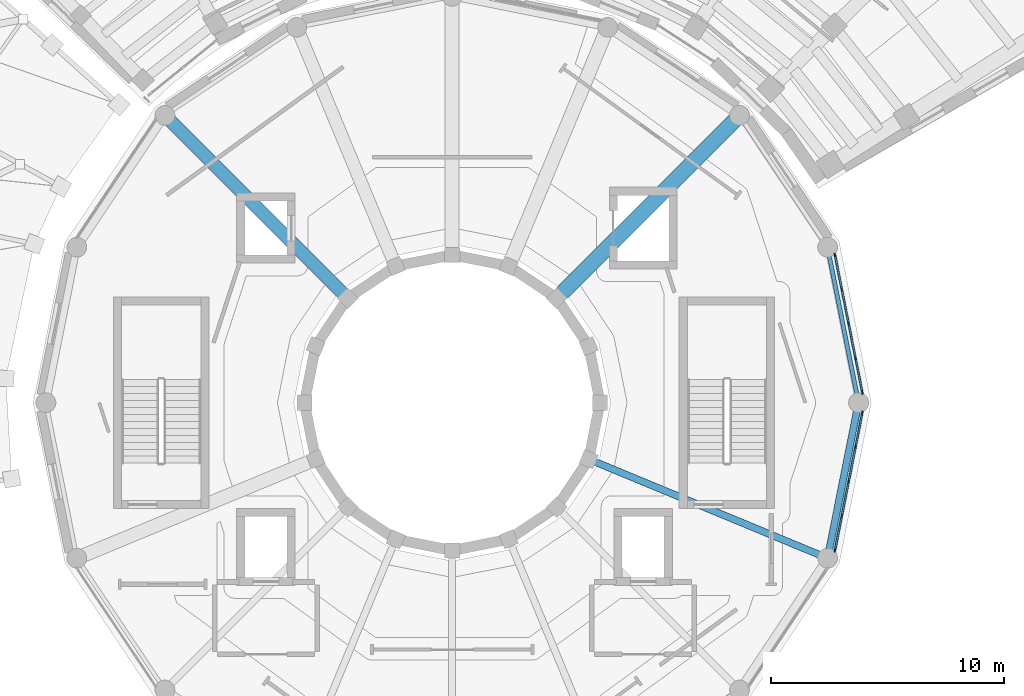
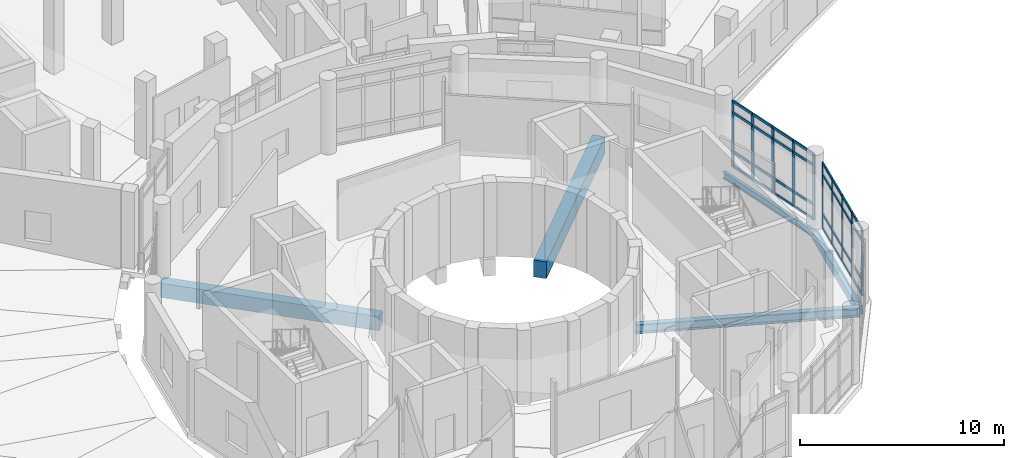
# One storey, part 11 of 49: 42 members, 5 beams, 2 elements without a shape of their own.
"""IFC4 building model written with IfcOpenShell, lengths in metres."""

from ifc_helpers import new_model, si_unit, direction, frame, origin, origin_2d, place, context, subcontext, project, spatial, rectangle, i_section, extrude, material, material_profile, profile_set, type_object, element, aggregate, save


model = new_model("IFC4")

# Units and contexts
model_context = context("Model", 3, precision=1e-05, world=origin(), true_north=direction((0.0, 1.0)))
body_context = subcontext(model_context, "Body", "Model", "MODEL_VIEW")
ifc_project = project(units=[si_unit("LENGTHUNIT", "METRE"), si_unit("AREAUNIT", "SQUARE_METRE"), si_unit("VOLUMEUNIT", "CUBIC_METRE"), si_unit("PLANEANGLEUNIT", "RADIAN"), si_unit("MASSUNIT", "GRAM", prefix="KILO")], contexts=[model_context])

# Site, building, storey
site_placement = place(None, origin())
site = spatial("IfcSite", under=ifc_project, at=site_placement, CompositionType="ELEMENT")
building_placement = place(site_placement, origin())
building = spatial("IfcBuilding", under=site, at=building_placement, Name="Soyqirgoq Riverine Aquarium", CompositionType="ELEMENT")
storey_placement = place(building_placement, frame((0.0, 0.0, 15.0)))
storey = spatial("IfcBuildingStorey", under=building, at=storey_placement, Name="L04", CompositionType="ELEMENT", Elevation=15.0)

# Curtain wall, members
ifc_material_1 = material(Name="Anodised aluminium thermally broken triple low-E glazing", Category="aluminium")
curtain_wall_type = type_object("IfcCurtainWallType", Name="CW_DrumGallery_Unitised", PredefinedType="NOTDEFINED", material=ifc_material_1)
curtain_wall_1_placement = place(storey_placement, origin())
curtain_wall_1 = element("IfcCurtainWall", 1, at=curtain_wall_1_placement, inside=storey, type_object=curtain_wall_type, Name="V1 L04 Curtain Wall 004", PredefinedType="NOTDEFINED")
ifc_material_2 = material(Name="Anodised aluminium 6063-T6", Category="aluminium")
ifc_material_profile_1 = material_profile(ifc_material_2, rectangle(XDim=0.06494140625, YDim=0.179931640625, at=origin_2d()), Name="ALU-M 65x180")
ifc_profile_set_1 = profile_set([ifc_material_profile_1], Name="Anodised aluminium 6063-T6")
member_type_1 = type_object("IfcMemberType", Name="CWMullion_65x180", PredefinedType="MULLION", material=ifc_profile_set_1)
member_1_placement = place(storey_placement, frame((73.61181640625, 57.44384765625, 0.0), z_axis=(0.0, 0.0, 1.0), x_axis=(-0.980783044882, -0.195101560405, 0.0)))
member_1 = element("IfcMember", 2, at=member_1_placement, type_object=member_type_1, Name="CW-01 mullion 1", PredefinedType="MULLION", context=body_context, shape_type="SweptSolid", body=[
    extrude(rectangle(XDim=0.06494140625, YDim=0.179931640625, at=origin_2d()), origin(), (0.0, 0.0, 1.0), 3.949951171875),
])
member_2_placement = place(storey_placement, frame((73.322265625, 58.8994140625, 0.0), z_axis=(0.0, 0.0, 1.0), x_axis=(-0.980783044882, -0.195101560405, 0.0)))
member_2 = element("IfcMember", 3, at=member_2_placement, type_object=member_type_1, Name="CW-01 mullion 2", PredefinedType="MULLION", context=body_context, shape_type="SweptSolid", body=[
    extrude(rectangle(XDim=0.06494140625, YDim=0.179931640625, at=origin_2d()), origin(), (0.0, 0.0, 1.0), 3.949951171875),
])
member_3_placement = place(storey_placement, frame((73.0263671875, 60.38671875, 0.0), z_axis=(0.0, 0.0, 1.0), x_axis=(-0.980783044882, -0.195101560405, 0.0)))
member_3 = element("IfcMember", 4, at=member_3_placement, type_object=member_type_1, Name="CW-01 mullion 3", PredefinedType="MULLION", context=body_context, shape_type="SweptSolid", body=[
    extrude(rectangle(XDim=0.06494140625, YDim=0.179931640625, at=origin_2d()), origin(), (0.0, 0.0, 1.0), 3.949951171875),
])
member_4_placement = place(storey_placement, frame((72.73046875, 61.8740234375, 0.0), z_axis=(0.0, 0.0, 1.0), x_axis=(-0.980783044882, -0.195101560405, 0.0)))
member_4 = element("IfcMember", 5, at=member_4_placement, type_object=member_type_1, Name="CW-01 mullion 4", PredefinedType="MULLION", context=body_context, shape_type="SweptSolid", body=[
    extrude(rectangle(XDim=0.06494140625, YDim=0.179931640625, at=origin_2d()), origin(), (0.0, 0.0, 1.0), 3.949951171875),
])
member_5_placement = place(storey_placement, frame((72.44091796875, 63.32958984375, 0.0), z_axis=(0.0, 0.0, 1.0), x_axis=(-0.980783044882, -0.195101560405, 0.0)))
member_5 = element("IfcMember", 6, at=member_5_placement, type_object=member_type_1, Name="CW-01 mullion 5", PredefinedType="MULLION", context=body_context, shape_type="SweptSolid", body=[
    extrude(rectangle(XDim=0.06494140625, YDim=0.179931640625, at=origin_2d()), origin(), (0.0, 0.0, 1.0), 3.949951171875),
])

curtain_wall_2_placement = place(storey_placement, origin())
curtain_wall_2 = element("IfcCurtainWall", 7, at=curtain_wall_2_placement, inside=storey, type_object=curtain_wall_type, Name="V1 L04 Curtain Wall 075", PredefinedType="NOTDEFINED")
member_6_placement = place(storey_placement, frame((72.44091796875, 50.67041015625, 0.0), z_axis=(0.0, 0.0, 1.0), x_axis=(-0.980783044882, 0.195101560405, 0.0)))
member_6 = element("IfcMember", 8, at=member_6_placement, type_object=member_type_1, Name="CW-01 mullion 1", PredefinedType="MULLION", context=body_context, shape_type="SweptSolid", body=[
    extrude(rectangle(XDim=0.06494140625, YDim=0.179931640625, at=origin_2d()), origin(), (0.0, 0.0, 1.0), 3.949951171875),
])
member_7_placement = place(storey_placement, frame((72.73046875, 52.1259765625, 0.0), z_axis=(0.0, 0.0, 1.0), x_axis=(-0.980783044882, 0.195101560405, 0.0)))
member_7 = element("IfcMember", 9, at=member_7_placement, type_object=member_type_1, Name="CW-01 mullion 2", PredefinedType="MULLION", context=body_context, shape_type="SweptSolid", body=[
    extrude(rectangle(XDim=0.06494140625, YDim=0.179931640625, at=origin_2d()), origin(), (0.0, 0.0, 1.0), 3.949951171875),
])
member_8_placement = place(storey_placement, frame((73.0263671875, 53.61328125, 0.0), z_axis=(0.0, 0.0, 1.0), x_axis=(-0.980783044882, 0.195101560405, 0.0)))
member_8 = element("IfcMember", 10, at=member_8_placement, type_object=member_type_1, Name="CW-01 mullion 3", PredefinedType="MULLION", context=body_context, shape_type="SweptSolid", body=[
    extrude(rectangle(XDim=0.06494140625, YDim=0.179931640625, at=origin_2d()), origin(), (0.0, 0.0, 1.0), 3.949951171875),
])
member_9_placement = place(storey_placement, frame((73.322265625, 55.1005859375, 0.0), z_axis=(0.0, 0.0, 1.0), x_axis=(-0.980783044882, 0.195101560405, 0.0)))
member_9 = element("IfcMember", 11, at=member_9_placement, type_object=member_type_1, Name="CW-01 mullion 4", PredefinedType="MULLION", context=body_context, shape_type="SweptSolid", body=[
    extrude(rectangle(XDim=0.06494140625, YDim=0.179931640625, at=origin_2d()), origin(), (0.0, 0.0, 1.0), 3.949951171875),
])
member_10_placement = place(storey_placement, frame((73.61181640625, 56.55615234375, 0.0), z_axis=(0.0, 0.0, 1.0), x_axis=(-0.980783044882, 0.195101560405, 0.0)))
member_10 = element("IfcMember", 12, at=member_10_placement, type_object=member_type_1, Name="CW-01 mullion 5", PredefinedType="MULLION", context=body_context, shape_type="SweptSolid", body=[
    extrude(rectangle(XDim=0.06494140625, YDim=0.179931640625, at=origin_2d()), origin(), (0.0, 0.0, 1.0), 3.949951171875),
])

# Member
ifc_material_3 = material(Name="Anodised aluminium 6063-T6", Category="aluminium")
ifc_material_profile_2 = material_profile(ifc_material_3, rectangle(XDim=0.074951171875, YDim=0.14990234375, at=origin_2d()), Name="ALU-T 75x150")
ifc_profile_set_2 = profile_set([ifc_material_profile_2], Name="Anodised aluminium 6063-T6")
member_type_2 = type_object("IfcMemberType", Name="CWTransom_75x150", PredefinedType="USERDEFINED", material=ifc_profile_set_2)
member_11_placement = place(storey_placement, frame((73.60546875, 57.475830078125, 0.03759765625), z_axis=(-0.19512334364, 0.980778711416, 0.0), x_axis=(-0.980778711416, -0.19512334364, 0.0)))
member_11 = element("IfcMember", 13, at=member_11_placement, type_object=member_type_2, Name="CW-01 transom 1.1", ObjectType="TRANSOM", PredefinedType="USERDEFINED", context=body_context, shape_type="SweptSolid", body=[
    extrude(rectangle(XDim=0.074951171875, YDim=0.14990234375, at=origin_2d()), origin(), (0.0, 0.0, 1.0), 1.4189453125),
])

member_12_placement = place(storey_placement, frame((73.60546875, 57.475830078125, 0.89990234375), z_axis=(-0.19512334364, 0.980778711416, 0.0), x_axis=(-0.980778711416, -0.19512334364, 0.0)))
member_12 = element("IfcMember", 14, at=member_12_placement, type_object=member_type_2, Name="CW-01 transom 1.2", ObjectType="TRANSOM", PredefinedType="USERDEFINED", context=body_context, shape_type="SweptSolid", body=[
    extrude(rectangle(XDim=0.074951171875, YDim=0.14990234375, at=origin_2d()), origin(), (0.0, 0.0, 1.0), 1.4189453125),
])

member_13_placement = place(storey_placement, frame((73.60546875, 57.475830078125, 3.25), z_axis=(-0.19512334364, 0.980778711416, 0.0), x_axis=(-0.980778711416, -0.19512334364, 0.0)))
member_13 = element("IfcMember", 15, at=member_13_placement, type_object=member_type_2, Name="CW-01 transom 1.3", ObjectType="TRANSOM", PredefinedType="USERDEFINED", context=body_context, shape_type="SweptSolid", body=[
    extrude(rectangle(XDim=0.074951171875, YDim=0.14990234375, at=origin_2d()), origin(), (0.0, 0.0, 1.0), 1.4189453125),
])

member_14_placement = place(storey_placement, frame((73.60546875, 57.475830078125, 3.91259765625), z_axis=(-0.19512334364, 0.980778711416, 0.0), x_axis=(-0.980778711416, -0.19512334364, 0.0)))
member_14 = element("IfcMember", 16, at=member_14_placement, type_object=member_type_2, Name="CW-01 transom 1.4", ObjectType="TRANSOM", PredefinedType="USERDEFINED", context=body_context, shape_type="SweptSolid", body=[
    extrude(rectangle(XDim=0.074951171875, YDim=0.14990234375, at=origin_2d()), origin(), (0.0, 0.0, 1.0), 1.4189453125),
])

member_15_placement = place(storey_placement, frame((73.31591796875, 58.93115234375, 0.03759765625), z_axis=(-0.195081112847, 0.980787112176, 0.0), x_axis=(-0.980787112176, -0.195081112847, 0.0)))
member_15 = element("IfcMember", 17, at=member_15_placement, type_object=member_type_2, Name="CW-01 transom 2.1", ObjectType="TRANSOM", PredefinedType="USERDEFINED", context=body_context, shape_type="SweptSolid", body=[
    extrude(rectangle(XDim=0.074951171875, YDim=0.14990234375, at=origin_2d()), origin(), (0.0, 0.0, 1.0), 1.45166015625),
])

member_16_placement = place(storey_placement, frame((73.31591796875, 58.93115234375, 0.89990234375), z_axis=(-0.195081112847, 0.980787112176, 0.0), x_axis=(-0.980787112176, -0.195081112847, 0.0)))
member_16 = element("IfcMember", 18, at=member_16_placement, type_object=member_type_2, Name="CW-01 transom 2.2", ObjectType="TRANSOM", PredefinedType="USERDEFINED", context=body_context, shape_type="SweptSolid", body=[
    extrude(rectangle(XDim=0.074951171875, YDim=0.14990234375, at=origin_2d()), origin(), (0.0, 0.0, 1.0), 1.45166015625),
])

member_17_placement = place(storey_placement, frame((73.31591796875, 58.93115234375, 3.25), z_axis=(-0.195081112847, 0.980787112176, 0.0), x_axis=(-0.980787112176, -0.195081112847, 0.0)))
member_17 = element("IfcMember", 19, at=member_17_placement, type_object=member_type_2, Name="CW-01 transom 2.3", ObjectType="TRANSOM", PredefinedType="USERDEFINED", context=body_context, shape_type="SweptSolid", body=[
    extrude(rectangle(XDim=0.074951171875, YDim=0.14990234375, at=origin_2d()), origin(), (0.0, 0.0, 1.0), 1.45166015625),
])

member_18_placement = place(storey_placement, frame((73.31591796875, 58.93115234375, 3.91259765625), z_axis=(-0.195081112847, 0.980787112176, 0.0), x_axis=(-0.980787112176, -0.195081112847, 0.0)))
member_18 = element("IfcMember", 20, at=member_18_placement, type_object=member_type_2, Name="CW-01 transom 2.4", ObjectType="TRANSOM", PredefinedType="USERDEFINED", context=body_context, shape_type="SweptSolid", body=[
    extrude(rectangle(XDim=0.074951171875, YDim=0.14990234375, at=origin_2d()), origin(), (0.0, 0.0, 1.0), 1.45166015625),
])

member_19_placement = place(storey_placement, frame((73.02001953125, 60.418701171875, 0.03759765625), z_axis=(-0.195113295173, 0.980780710478, 0.0), x_axis=(-0.980780710478, -0.195113295173, 0.0)))
member_19 = element("IfcMember", 21, at=member_19_placement, type_object=member_type_2, Name="CW-01 transom 3.1", ObjectType="TRANSOM", PredefinedType="USERDEFINED", context=body_context, shape_type="SweptSolid", body=[
    extrude(rectangle(XDim=0.074951171875, YDim=0.14990234375, at=origin_2d()), origin(), (0.0, 0.0, 1.0), 1.451416015625),
])

member_20_placement = place(storey_placement, frame((73.02001953125, 60.418701171875, 0.89990234375), z_axis=(-0.195113295173, 0.980780710478, 0.0), x_axis=(-0.980780710478, -0.195113295173, 0.0)))
member_20 = element("IfcMember", 22, at=member_20_placement, type_object=member_type_2, Name="CW-01 transom 3.2", ObjectType="TRANSOM", PredefinedType="USERDEFINED", context=body_context, shape_type="SweptSolid", body=[
    extrude(rectangle(XDim=0.074951171875, YDim=0.14990234375, at=origin_2d()), origin(), (0.0, 0.0, 1.0), 1.451416015625),
])

member_21_placement = place(storey_placement, frame((73.02001953125, 60.418701171875, 3.25), z_axis=(-0.195113295173, 0.980780710478, 0.0), x_axis=(-0.980780710478, -0.195113295173, 0.0)))
member_21 = element("IfcMember", 23, at=member_21_placement, type_object=member_type_2, Name="CW-01 transom 3.3", ObjectType="TRANSOM", PredefinedType="USERDEFINED", context=body_context, shape_type="SweptSolid", body=[
    extrude(rectangle(XDim=0.074951171875, YDim=0.14990234375, at=origin_2d()), origin(), (0.0, 0.0, 1.0), 1.451416015625),
])

member_22_placement = place(storey_placement, frame((73.02001953125, 60.418701171875, 3.91259765625), z_axis=(-0.195113295173, 0.980780710478, 0.0), x_axis=(-0.980780710478, -0.195113295173, 0.0)))
member_22 = element("IfcMember", 24, at=member_22_placement, type_object=member_type_2, Name="CW-01 transom 3.4", ObjectType="TRANSOM", PredefinedType="USERDEFINED", context=body_context, shape_type="SweptSolid", body=[
    extrude(rectangle(XDim=0.074951171875, YDim=0.14990234375, at=origin_2d()), origin(), (0.0, 0.0, 1.0), 1.451416015625),
])

member_23_placement = place(storey_placement, frame((72.72412109375, 61.906005859375, 0.03759765625), z_axis=(-0.195090420246, 0.980785260864, 0.0), x_axis=(-0.980785260864, -0.195090420246, 0.0)))
member_23 = element("IfcMember", 25, at=member_23_placement, type_object=member_type_2, Name="CW-01 transom 4.1", ObjectType="TRANSOM", PredefinedType="USERDEFINED", context=body_context, shape_type="SweptSolid", body=[
    extrude(rectangle(XDim=0.074951171875, YDim=0.14990234375, at=origin_2d()), origin(), (0.0, 0.0, 1.0), 1.419189453125),
])

member_24_placement = place(storey_placement, frame((72.72412109375, 61.906005859375, 0.89990234375), z_axis=(-0.195090420246, 0.980785260864, 0.0), x_axis=(-0.980785260864, -0.195090420246, 0.0)))
member_24 = element("IfcMember", 26, at=member_24_placement, type_object=member_type_2, Name="CW-01 transom 4.2", ObjectType="TRANSOM", PredefinedType="USERDEFINED", context=body_context, shape_type="SweptSolid", body=[
    extrude(rectangle(XDim=0.074951171875, YDim=0.14990234375, at=origin_2d()), origin(), (0.0, 0.0, 1.0), 1.419189453125),
])

member_25_placement = place(storey_placement, frame((72.72412109375, 61.906005859375, 3.25), z_axis=(-0.195090420246, 0.980785260864, 0.0), x_axis=(-0.980785260864, -0.195090420246, 0.0)))
member_25 = element("IfcMember", 27, at=member_25_placement, type_object=member_type_2, Name="CW-01 transom 4.3", ObjectType="TRANSOM", PredefinedType="USERDEFINED", context=body_context, shape_type="SweptSolid", body=[
    extrude(rectangle(XDim=0.074951171875, YDim=0.14990234375, at=origin_2d()), origin(), (0.0, 0.0, 1.0), 1.419189453125),
])

member_26_placement = place(storey_placement, frame((72.72412109375, 61.906005859375, 3.91259765625), z_axis=(-0.195090420246, 0.980785260864, 0.0), x_axis=(-0.980785260864, -0.195090420246, 0.0)))
member_26 = element("IfcMember", 28, at=member_26_placement, type_object=member_type_2, Name="CW-01 transom 4.4", ObjectType="TRANSOM", PredefinedType="USERDEFINED", context=body_context, shape_type="SweptSolid", body=[
    extrude(rectangle(XDim=0.074951171875, YDim=0.14990234375, at=origin_2d()), origin(), (0.0, 0.0, 1.0), 1.419189453125),
])

aggregate(curtain_wall_1, [member_1, member_2, member_3, member_4, member_5, member_11, member_12, member_13, member_14, member_15, member_16, member_17, member_18, member_19, member_20, member_21, member_22, member_23, member_24, member_25, member_26])

member_27_placement = place(storey_placement, frame((72.447265625, 50.7021484375, 0.03759765625), z_axis=(0.195090420246, 0.980785260864, 0.0), x_axis=(-0.980785260864, 0.195090420246, 0.0)))
member_27 = element("IfcMember", 29, at=member_27_placement, type_object=member_type_2, Name="CW-01 transom 1.1", ObjectType="TRANSOM", PredefinedType="USERDEFINED", context=body_context, shape_type="SweptSolid", body=[
    extrude(rectangle(XDim=0.074951171875, YDim=0.14990234375, at=origin_2d()), origin(), (0.0, 0.0, 1.0), 1.419189453125),
])

member_28_placement = place(storey_placement, frame((72.447265625, 50.7021484375, 0.89990234375), z_axis=(0.195090420246, 0.980785260864, 0.0), x_axis=(-0.980785260864, 0.195090420246, 0.0)))
member_28 = element("IfcMember", 30, at=member_28_placement, type_object=member_type_2, Name="CW-01 transom 1.2", ObjectType="TRANSOM", PredefinedType="USERDEFINED", context=body_context, shape_type="SweptSolid", body=[
    extrude(rectangle(XDim=0.074951171875, YDim=0.14990234375, at=origin_2d()), origin(), (0.0, 0.0, 1.0), 1.419189453125),
])

member_29_placement = place(storey_placement, frame((72.447265625, 50.7021484375, 3.25), z_axis=(0.195090420246, 0.980785260864, 0.0), x_axis=(-0.980785260864, 0.195090420246, 0.0)))
member_29 = element("IfcMember", 31, at=member_29_placement, type_object=member_type_2, Name="CW-01 transom 1.3", ObjectType="TRANSOM", PredefinedType="USERDEFINED", context=body_context, shape_type="SweptSolid", body=[
    extrude(rectangle(XDim=0.074951171875, YDim=0.14990234375, at=origin_2d()), origin(), (0.0, 0.0, 1.0), 1.419189453125),
])

member_30_placement = place(storey_placement, frame((72.447265625, 50.7021484375, 3.91259765625), z_axis=(0.195090420246, 0.980785260864, 0.0), x_axis=(-0.980785260864, 0.195090420246, 0.0)))
member_30 = element("IfcMember", 32, at=member_30_placement, type_object=member_type_2, Name="CW-01 transom 1.4", ObjectType="TRANSOM", PredefinedType="USERDEFINED", context=body_context, shape_type="SweptSolid", body=[
    extrude(rectangle(XDim=0.074951171875, YDim=0.14990234375, at=origin_2d()), origin(), (0.0, 0.0, 1.0), 1.419189453125),
])

member_31_placement = place(storey_placement, frame((72.73681640625, 52.15771484375, 0.03759765625), z_axis=(0.195113295173, 0.980780710478, 0.0), x_axis=(-0.980780710478, 0.195113295173, 0.0)))
member_31 = element("IfcMember", 33, at=member_31_placement, type_object=member_type_2, Name="CW-01 transom 2.1", ObjectType="TRANSOM", PredefinedType="USERDEFINED", context=body_context, shape_type="SweptSolid", body=[
    extrude(rectangle(XDim=0.074951171875, YDim=0.14990234375, at=origin_2d()), origin(), (0.0, 0.0, 1.0), 1.451416015625),
])

member_32_placement = place(storey_placement, frame((72.73681640625, 52.15771484375, 0.89990234375), z_axis=(0.195113295173, 0.980780710478, 0.0), x_axis=(-0.980780710478, 0.195113295173, 0.0)))
member_32 = element("IfcMember", 34, at=member_32_placement, type_object=member_type_2, Name="CW-01 transom 2.2", ObjectType="TRANSOM", PredefinedType="USERDEFINED", context=body_context, shape_type="SweptSolid", body=[
    extrude(rectangle(XDim=0.074951171875, YDim=0.14990234375, at=origin_2d()), origin(), (0.0, 0.0, 1.0), 1.451416015625),
])

member_33_placement = place(storey_placement, frame((72.73681640625, 52.15771484375, 3.25), z_axis=(0.195113295173, 0.980780710478, 0.0), x_axis=(-0.980780710478, 0.195113295173, 0.0)))
member_33 = element("IfcMember", 35, at=member_33_placement, type_object=member_type_2, Name="CW-01 transom 2.3", ObjectType="TRANSOM", PredefinedType="USERDEFINED", context=body_context, shape_type="SweptSolid", body=[
    extrude(rectangle(XDim=0.074951171875, YDim=0.14990234375, at=origin_2d()), origin(), (0.0, 0.0, 1.0), 1.451416015625),
])

member_34_placement = place(storey_placement, frame((72.73681640625, 52.15771484375, 3.91259765625), z_axis=(0.195113295173, 0.980780710478, 0.0), x_axis=(-0.980780710478, 0.195113295173, 0.0)))
member_34 = element("IfcMember", 36, at=member_34_placement, type_object=member_type_2, Name="CW-01 transom 2.4", ObjectType="TRANSOM", PredefinedType="USERDEFINED", context=body_context, shape_type="SweptSolid", body=[
    extrude(rectangle(XDim=0.074951171875, YDim=0.14990234375, at=origin_2d()), origin(), (0.0, 0.0, 1.0), 1.451416015625),
])

member_35_placement = place(storey_placement, frame((73.03271484375, 53.64501953125, 0.03759765625), z_axis=(0.195081112847, 0.980787112176, 0.0), x_axis=(-0.980787112176, 0.195081112847, 0.0)))
member_35 = element("IfcMember", 37, at=member_35_placement, type_object=member_type_2, Name="CW-01 transom 3.1", ObjectType="TRANSOM", PredefinedType="USERDEFINED", context=body_context, shape_type="SweptSolid", body=[
    extrude(rectangle(XDim=0.074951171875, YDim=0.14990234375, at=origin_2d()), origin(), (0.0, 0.0, 1.0), 1.45166015625),
])

member_36_placement = place(storey_placement, frame((73.03271484375, 53.64501953125, 0.89990234375), z_axis=(0.195081112847, 0.980787112176, 0.0), x_axis=(-0.980787112176, 0.195081112847, 0.0)))
member_36 = element("IfcMember", 38, at=member_36_placement, type_object=member_type_2, Name="CW-01 transom 3.2", ObjectType="TRANSOM", PredefinedType="USERDEFINED", context=body_context, shape_type="SweptSolid", body=[
    extrude(rectangle(XDim=0.074951171875, YDim=0.14990234375, at=origin_2d()), origin(), (0.0, 0.0, 1.0), 1.45166015625),
])

member_37_placement = place(storey_placement, frame((73.03271484375, 53.64501953125, 3.25), z_axis=(0.195081112847, 0.980787112176, 0.0), x_axis=(-0.980787112176, 0.195081112847, 0.0)))
member_37 = element("IfcMember", 39, at=member_37_placement, type_object=member_type_2, Name="CW-01 transom 3.3", ObjectType="TRANSOM", PredefinedType="USERDEFINED", context=body_context, shape_type="SweptSolid", body=[
    extrude(rectangle(XDim=0.074951171875, YDim=0.14990234375, at=origin_2d()), origin(), (0.0, 0.0, 1.0), 1.45166015625),
])

member_38_placement = place(storey_placement, frame((73.03271484375, 53.64501953125, 3.91259765625), z_axis=(0.195081112847, 0.980787112176, 0.0), x_axis=(-0.980787112176, 0.195081112847, 0.0)))
member_38 = element("IfcMember", 40, at=member_38_placement, type_object=member_type_2, Name="CW-01 transom 3.4", ObjectType="TRANSOM", PredefinedType="USERDEFINED", context=body_context, shape_type="SweptSolid", body=[
    extrude(rectangle(XDim=0.074951171875, YDim=0.14990234375, at=origin_2d()), origin(), (0.0, 0.0, 1.0), 1.45166015625),
])

member_39_placement = place(storey_placement, frame((73.32861328125, 55.132568359375, 0.03759765625), z_axis=(0.19512334364, 0.980778711416, 0.0), x_axis=(-0.980778711416, 0.19512334364, 0.0)))
member_39 = element("IfcMember", 41, at=member_39_placement, type_object=member_type_2, Name="CW-01 transom 4.1", ObjectType="TRANSOM", PredefinedType="USERDEFINED", context=body_context, shape_type="SweptSolid", body=[
    extrude(rectangle(XDim=0.074951171875, YDim=0.14990234375, at=origin_2d()), origin(), (0.0, 0.0, 1.0), 1.4189453125),
])

member_40_placement = place(storey_placement, frame((73.32861328125, 55.132568359375, 0.89990234375), z_axis=(0.19512334364, 0.980778711416, 0.0), x_axis=(-0.980778711416, 0.19512334364, 0.0)))
member_40 = element("IfcMember", 42, at=member_40_placement, type_object=member_type_2, Name="CW-01 transom 4.2", ObjectType="TRANSOM", PredefinedType="USERDEFINED", context=body_context, shape_type="SweptSolid", body=[
    extrude(rectangle(XDim=0.074951171875, YDim=0.14990234375, at=origin_2d()), origin(), (0.0, 0.0, 1.0), 1.4189453125),
])

member_41_placement = place(storey_placement, frame((73.32861328125, 55.132568359375, 3.25), z_axis=(0.19512334364, 0.980778711416, 0.0), x_axis=(-0.980778711416, 0.19512334364, 0.0)))
member_41 = element("IfcMember", 43, at=member_41_placement, type_object=member_type_2, Name="CW-01 transom 4.3", ObjectType="TRANSOM", PredefinedType="USERDEFINED", context=body_context, shape_type="SweptSolid", body=[
    extrude(rectangle(XDim=0.074951171875, YDim=0.14990234375, at=origin_2d()), origin(), (0.0, 0.0, 1.0), 1.4189453125),
])

member_42_placement = place(storey_placement, frame((73.32861328125, 55.132568359375, 3.91259765625), z_axis=(0.19512334364, 0.980778711416, 0.0), x_axis=(-0.980778711416, 0.19512334364, 0.0)))
member_42 = element("IfcMember", 44, at=member_42_placement, type_object=member_type_2, Name="CW-01 transom 4.4", ObjectType="TRANSOM", PredefinedType="USERDEFINED", context=body_context, shape_type="SweptSolid", body=[
    extrude(rectangle(XDim=0.074951171875, YDim=0.14990234375, at=origin_2d()), origin(), (0.0, 0.0, 1.0), 1.4189453125),
])

aggregate(curtain_wall_2, [member_6, member_7, member_8, member_9, member_10, member_27, member_28, member_29, member_30, member_31, member_32, member_33, member_34, member_35, member_36, member_37, member_38, member_39, member_40, member_41, member_42])

# Beams
ifc_material_4 = material(Name="Concrete C40/50", Category="concrete")
ifc_material_profile_3 = material_profile(ifc_material_4, rectangle(XDim=0.550048828125, YDim=0.85009765625, at=origin_2d()), Name="RC 550x850")
ifc_profile_set_3 = profile_set([ifc_material_profile_3], Name="Concrete C40/50")
beam_type_1 = type_object("IfcBeamType", Name="Girder_RC_550x850", PredefinedType="BEAM", material=ifc_profile_set_3)
beam_1_placement = place(storey_placement, frame((51.502685546875, 61.497314453125, -0.77490234375), z_axis=(-0.707106781187, 0.707106781187, 0.0), x_axis=(-0.707106781187, -0.707106781187, 0.0)))
element("IfcBeam", 45, at=beam_1_placement, inside=storey, type_object=beam_type_1, Name="V1 L04 Gallery Radial Beam 0100", PredefinedType="BEAM", context=body_context, shape_type="SweptSolid", body=[
    extrude(rectangle(XDim=0.550048828125, YDim=0.85009765625, at=origin_2d()), origin(), (0.0, 0.0, 1.0), 11.07958984375),
])
ifc_material_5 = material(Name="Concrete C40/50", Category="concrete")
ifc_material_profile_4 = material_profile(ifc_material_5, rectangle(XDim=0.64990234375, YDim=1.0, at=origin_2d()), Name="RC 650x1000")
ifc_profile_set_4 = profile_set([ifc_material_profile_4], Name="Concrete C40/50")
beam_type_2 = type_object("IfcBeamType", Name="Girder_RC_650x1000", PredefinedType="BEAM", material=ifc_profile_set_4)
beam_2_placement = place(storey_placement, frame((60.497314453125, 61.497314453125, -0.85009765625), z_axis=(0.707106781187, 0.707106781187, 0.0), x_axis=(-0.707106781187, 0.707106781187, 0.0)))
element("IfcBeam", 46, at=beam_2_placement, inside=storey, type_object=beam_type_2, Name="V1 L04 Gallery Radial Beam 0092", PredefinedType="BEAM", context=body_context, shape_type="SweptSolid", body=[
    extrude(rectangle(XDim=0.64990234375, YDim=1.0, at=origin_2d()), origin(), (0.0, 0.0, 1.0), 11.07958984375),
])
ifc_material_6 = material(Name="Concrete C40/50", Category="concrete")
ifc_material_profile_5 = material_profile(ifc_material_6, rectangle(XDim=0.300048828125, YDim=0.5, at=origin_2d()), Name="RC 300x500")
ifc_profile_set_5 = profile_set([ifc_material_profile_5], Name="Concrete C40/50")
beam_type_3 = type_object("IfcBeamType", Name="Spandrel_RC_300x500", PredefinedType="SPANDREL", material=ifc_profile_set_5)
beam_3_placement = place(storey_placement, frame((72.12548828125, 50.341796875, -0.60009765625), z_axis=(0.195096390568, 0.980784073274, 0.0), x_axis=(-0.980784073274, 0.195096390568, 0.0)))
element("IfcBeam", 47, at=beam_3_placement, inside=storey, type_object=beam_type_3, Name="V1 L04 Drum Spandrel Beam 0115", PredefinedType="SPANDREL", context=body_context, shape_type="SweptSolid", body=[
    extrude(rectangle(XDim=0.300048828125, YDim=0.5, at=origin_2d()), origin(), (0.0, 0.0, 1.0), 6.768798828125),
])
ifc_material_7 = material(Name="Structural steel S355", Category="steel")
ifc_material_profile_6 = material_profile(ifc_material_7, i_section(OverallWidth=0.179931640625, OverallDepth=0.39990234375, WebThickness=0.008544921875, FlangeThickness=0.013427734375, FilletRadius=0.02099609375, at=origin_2d()), Name="IPE 400")
ifc_profile_set_6 = profile_set([ifc_material_profile_6], Name="Structural steel S355")
beam_type_4 = type_object("IfcBeamType", Name="Spandrel_Steel_IPE400", PredefinedType="SPANDREL", material=ifc_profile_set_6)
beam_4_placement = place(storey_placement, frame((73.446044921875, 57.01953125, -0.550048828125), z_axis=(-0.195096390568, 0.980784073274, 0.0), x_axis=(-0.980784073274, -0.195096390568, 0.0)))
element("IfcBeam", 48, at=beam_4_placement, inside=storey, type_object=beam_type_4, Name="V1 L04 Drum Spandrel Beam 0089", PredefinedType="SPANDREL", context=body_context, shape_type="SweptSolid", body=[
    extrude(i_section(OverallWidth=0.179931640625, OverallDepth=0.39990234375, WebThickness=0.008544921875, FlangeThickness=0.013427734375, FilletRadius=0.02099609375, at=origin_2d()), origin(), (0.0, 0.0, 1.0), 6.768798828125),
])
ifc_material_8 = material(Name="Structural steel S355", Category="steel")
ifc_material_profile_7 = material_profile(ifc_material_8, i_section(OverallWidth=0.300048828125, OverallDepth=0.550048828125, WebThickness=0.014892578125, FlangeThickness=0.029052734375, FilletRadius=0.027099609375, at=origin_2d()), Name="HEB 550")
ifc_profile_set_7 = profile_set([ifc_material_profile_7], Name="Structural steel S355")
beam_type_5 = type_object("IfcBeamType", Name="SteelGirder_HEB550", PredefinedType="BEAM", material=ifc_profile_set_7)
beam_5_placement = place(storey_placement, frame((61.875732421875, 54.566162109375, -0.625), z_axis=(0.923879335189, -0.382683908742, 0.0), x_axis=(0.382683908742, 0.923879335189, 0.0)))
element("IfcBeam", 49, at=beam_5_placement, inside=storey, type_object=beam_type_5, Name="V1 L04 Gallery Radial Beam 0116", PredefinedType="BEAM", context=body_context, shape_type="SweptSolid", body=[
    extrude(i_section(OverallWidth=0.300048828125, OverallDepth=0.550048828125, WebThickness=0.014892578125, FlangeThickness=0.029052734375, FilletRadius=0.027099609375, at=origin_2d()), origin(), (0.0, 0.0, 1.0), 11.080322265625),
])

save(model, "model.ifc")
